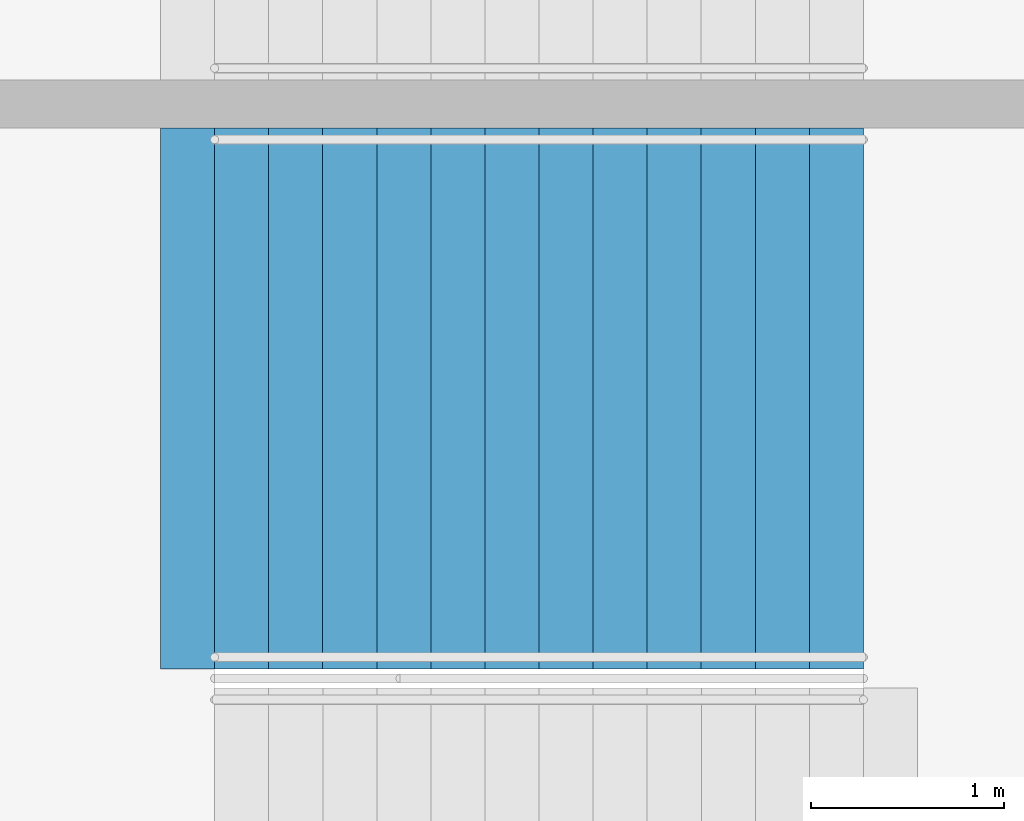
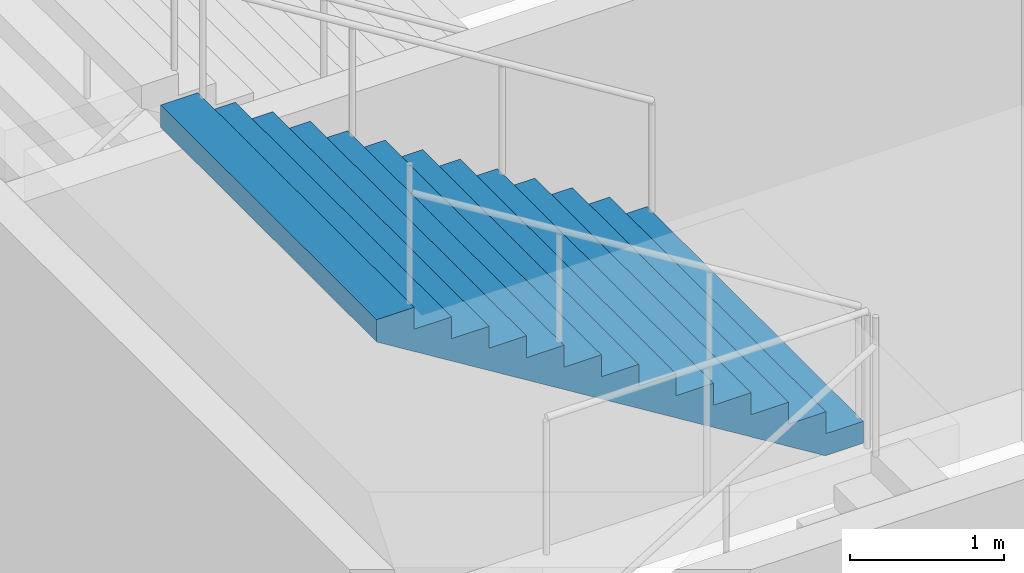
# One storey, part 124 of 177: 1 stair flight, 1 element without a shape of its own.
"""IFC4 building model written with IfcOpenShell, lengths in metres."""

from ifc_helpers import new_model, si_unit, direction, frame, origin, place, context, subcontext, project, spatial, faceted_brep, material, type_object, element, aggregate, save


model = new_model("IFC4")

# Units and contexts
model_context = context("Model", 3, precision=1e-05, world=origin(), true_north=direction((0.0, 1.0)))
body_context = subcontext(model_context, "Body", "Model", "MODEL_VIEW")
ifc_project = project(units=[si_unit("LENGTHUNIT", "METRE"), si_unit("AREAUNIT", "SQUARE_METRE"), si_unit("VOLUMEUNIT", "CUBIC_METRE"), si_unit("PLANEANGLEUNIT", "RADIAN"), si_unit("MASSUNIT", "GRAM", prefix="KILO")], contexts=[model_context])

# Site, building, storey
site_placement = place(None, origin())
site = spatial("IfcSite", under=ifc_project, at=site_placement, CompositionType="ELEMENT")
building_placement = place(site_placement, origin())
building = spatial("IfcBuilding", under=site, at=building_placement, Name="Ogive Plaza Stadium", CompositionType="ELEMENT")
storey_placement = place(building_placement, frame((0.0, 0.0, 18.0)))
storey = spatial("IfcBuildingStorey", under=building, at=storey_placement, Name="L04", CompositionType="ELEMENT", Elevation=18.0)

# Stair, stair flight
ifc_material_1 = material(Name="Concrete C40/50", Category="concrete")
stair_type = type_object("IfcStairType", Name="Exit stair", PredefinedType="STRAIGHT_RUN_STAIR", material=ifc_material_1)
stair_placement = place(storey_placement, origin())
stair = element("IfcStair", 1, at=stair_placement, inside=storey, type_object=stair_type, Name="Exit stair ST06A L04 to L05", PredefinedType="STRAIGHT_RUN_STAIR")
ifc_material_2 = material(Name="Concrete C40/50", Category="concrete")
stair_flight_type = type_object("IfcStairFlightType", Name="Exit stair flight", PredefinedType="STRAIGHT", material=ifc_material_2)
stair_flight_placement = place(storey_placement, frame((79.7099609375, -24.02490234375, 2.25), z_axis=(0.0, 0.0, 1.0), x_axis=(-1.0, 0.0, 0.0)))
stair_flight = element("IfcStairFlight", 2, at=stair_flight_placement, type_object=stair_flight_type, Name="ST06A flight 2", NumberOfRisers=13, NumberOfTreads=12, PredefinedType="STRAIGHT", RiserHeight=0.173076923, TreadLength=0.28, context=body_context, shape_type="Brep", body=[
    faceted_brep([(0.28515625, -1.39990234375, 0.0), (3.639892578125, -1.39990234375, 2.07373046875), (3.639892578125, -1.39990234375, 2.25), (3.360107421875, -1.39990234375, 2.25), (3.360107421875, -1.39990234375, 2.076904296875), (3.080078125, -1.39990234375, 2.076904296875), (3.080078125, -1.39990234375, 1.90380859375), (2.800048828125, -1.39990234375, 1.90380859375), (2.800048828125, -1.39990234375, 1.730712890625), (2.52001953125, -1.39990234375, 1.730712890625), (2.52001953125, -1.39990234375, 1.5576171875), (2.239990234375, -1.39990234375, 1.5576171875), (2.239990234375, -1.39990234375, 1.384521484375), (1.9599609375, -1.39990234375, 1.384521484375), (1.9599609375, -1.39990234375, 1.21142578125), (1.679931640625, -1.39990234375, 1.21142578125), (1.679931640625, -1.39990234375, 1.03857421875), (1.39990234375, -1.39990234375, 1.03857421875), (1.39990234375, -1.39990234375, 0.865478515625), (1.1201171875, -1.39990234375, 0.865478515625), (1.1201171875, -1.39990234375, 0.6923828125), (0.840087890625, -1.39990234375, 0.6923828125), (0.840087890625, -1.39990234375, 0.519287109375), (0.56005859375, -1.39990234375, 0.519287109375), (0.56005859375, -1.39990234375, 0.34619140625), (0.280029296875, -1.39990234375, 0.34619140625), (0.280029296875, -1.39990234375, 0.173095703125), (0.0, -1.39990234375, 0.173095703125), (0.0, -1.39990234375, 0.0), (0.0, 1.39990234375, 0.0), (0.0, 1.39990234375, 0.173095703125), (0.280029296875, 1.39990234375, 0.173095703125), (0.280029296875, 1.39990234375, 0.34619140625), (0.56005859375, 1.39990234375, 0.34619140625), (0.56005859375, 1.39990234375, 0.519287109375), (0.840087890625, 1.39990234375, 0.519287109375), (0.840087890625, 1.39990234375, 0.6923828125), (1.1201171875, 1.39990234375, 0.6923828125), (1.1201171875, 1.39990234375, 0.865478515625), (1.39990234375, 1.39990234375, 0.865478515625), (1.39990234375, 1.39990234375, 1.03857421875), (1.679931640625, 1.39990234375, 1.03857421875), (1.679931640625, 1.39990234375, 1.21142578125), (1.9599609375, 1.39990234375, 1.21142578125), (1.9599609375, 1.39990234375, 1.384521484375), (2.239990234375, 1.39990234375, 1.384521484375), (2.239990234375, 1.39990234375, 1.5576171875), (2.52001953125, 1.39990234375, 1.5576171875), (2.52001953125, 1.39990234375, 1.730712890625), (2.800048828125, 1.39990234375, 1.730712890625), (2.800048828125, 1.39990234375, 1.90380859375), (3.080078125, 1.39990234375, 1.90380859375), (3.080078125, 1.39990234375, 2.076904296875), (3.360107421875, 1.39990234375, 2.076904296875), (3.360107421875, 1.39990234375, 2.25), (3.639892578125, 1.39990234375, 2.25), (3.639892578125, 1.39990234375, 2.07373046875), (0.28515625, 1.39990234375, 0.0), (0.28515625, -1.0888671875, 0.0), (3.639892578125, -1.0888671875, 2.07373046875), (0.28515625, -0.77783203125, 0.0), (3.639892578125, -0.77783203125, 2.07373046875), (0.28515625, -0.466796875, 0.0), (3.639892578125, -0.466796875, 2.07373046875), (0.28515625, -0.155517578125, 0.0), (3.639892578125, -0.155517578125, 2.07373046875), (0.28515625, 0.155517578125, 0.0), (3.639892578125, 0.155517578125, 2.07373046875), (0.28515625, 0.466796875, 0.0), (3.639892578125, 0.466796875, 2.07373046875), (0.28515625, 0.77783203125, 0.0), (3.639892578125, 0.77783203125, 2.07373046875), (0.28515625, 1.0888671875, 0.0), (3.639892578125, 1.0888671875, 2.07373046875), (3.639892578125, -1.0888671875, 2.25), (3.639892578125, -0.77783203125, 2.25), (3.639892578125, -0.466796875, 2.25), (3.639892578125, -0.155517578125, 2.25), (3.639892578125, 0.155517578125, 2.25), (3.639892578125, 0.466796875, 2.25), (3.639892578125, 0.77783203125, 2.25), (3.639892578125, 1.0888671875, 2.25), (3.360107421875, -1.0888671875, 2.25), (3.360107421875, -0.77783203125, 2.25), (3.360107421875, -0.466796875, 2.25), (3.360107421875, -0.155517578125, 2.25), (3.360107421875, 0.155517578125, 2.25), (3.360107421875, 0.466796875, 2.25), (3.360107421875, 0.77783203125, 2.25), (3.360107421875, 1.0888671875, 2.25), (3.360107421875, -1.0888671875, 2.076904296875), (3.360107421875, -0.77783203125, 2.076904296875), (3.360107421875, -0.466796875, 2.076904296875), (3.360107421875, -0.155517578125, 2.076904296875), (3.360107421875, 0.155517578125, 2.076904296875), (3.360107421875, 0.466796875, 2.076904296875), (3.360107421875, 0.77783203125, 2.076904296875), (3.360107421875, 1.0888671875, 2.076904296875), (3.080078125, -1.0888671875, 2.076904296875), (3.080078125, -0.77783203125, 2.076904296875), (3.080078125, -0.466796875, 2.076904296875), (3.080078125, -0.155517578125, 2.076904296875), (3.080078125, 0.155517578125, 2.076904296875), (3.080078125, 0.466796875, 2.076904296875), (3.080078125, 0.77783203125, 2.076904296875), (3.080078125, 1.0888671875, 2.076904296875), (3.080078125, -1.0888671875, 1.90380859375), (3.080078125, -0.77783203125, 1.90380859375), (3.080078125, -0.466796875, 1.90380859375), (3.080078125, -0.155517578125, 1.90380859375), (3.080078125, 0.155517578125, 1.90380859375), (3.080078125, 0.466796875, 1.90380859375), (3.080078125, 0.77783203125, 1.90380859375), (3.080078125, 1.0888671875, 1.90380859375), (2.800048828125, -1.0888671875, 1.90380859375), (2.800048828125, -0.77783203125, 1.90380859375), (2.800048828125, -0.466796875, 1.90380859375), (2.800048828125, -0.155517578125, 1.90380859375), (2.800048828125, 0.155517578125, 1.90380859375), (2.800048828125, 0.466796875, 1.90380859375), (2.800048828125, 0.77783203125, 1.90380859375), (2.800048828125, 1.0888671875, 1.90380859375), (2.800048828125, -1.0888671875, 1.730712890625), (2.800048828125, -0.77783203125, 1.730712890625), (2.800048828125, -0.466796875, 1.730712890625), (2.800048828125, -0.155517578125, 1.730712890625), (2.800048828125, 0.155517578125, 1.730712890625), (2.800048828125, 0.466796875, 1.730712890625), (2.800048828125, 0.77783203125, 1.730712890625), (2.800048828125, 1.0888671875, 1.730712890625), (2.52001953125, -1.0888671875, 1.730712890625), (2.52001953125, -0.77783203125, 1.730712890625), (2.52001953125, -0.466796875, 1.730712890625), (2.52001953125, -0.155517578125, 1.730712890625), (2.52001953125, 0.155517578125, 1.730712890625), (2.52001953125, 0.466796875, 1.730712890625), (2.52001953125, 0.77783203125, 1.730712890625), (2.52001953125, 1.0888671875, 1.730712890625), (2.52001953125, -1.0888671875, 1.5576171875), (2.52001953125, -0.77783203125, 1.5576171875), (2.52001953125, -0.466796875, 1.5576171875), (2.52001953125, -0.155517578125, 1.5576171875), (2.52001953125, 0.155517578125, 1.5576171875), (2.52001953125, 0.466796875, 1.5576171875), (2.52001953125, 0.77783203125, 1.5576171875), (2.52001953125, 1.0888671875, 1.5576171875), (2.239990234375, -1.0888671875, 1.5576171875), (2.239990234375, -0.77783203125, 1.5576171875), (2.239990234375, -0.466796875, 1.5576171875), (2.239990234375, -0.155517578125, 1.5576171875), (2.239990234375, 0.155517578125, 1.5576171875), (2.239990234375, 0.466796875, 1.5576171875), (2.239990234375, 0.77783203125, 1.5576171875), (2.239990234375, 1.0888671875, 1.5576171875), (2.239990234375, -1.0888671875, 1.384521484375), (2.239990234375, -0.77783203125, 1.384521484375), (2.239990234375, -0.466796875, 1.384521484375), (2.239990234375, -0.155517578125, 1.384521484375), (2.239990234375, 0.155517578125, 1.384521484375), (2.239990234375, 0.466796875, 1.384521484375), (2.239990234375, 0.77783203125, 1.384521484375), (2.239990234375, 1.0888671875, 1.384521484375), (1.9599609375, -1.0888671875, 1.384521484375), (1.9599609375, -0.77783203125, 1.384521484375), (1.9599609375, -0.466796875, 1.384521484375), (1.9599609375, -0.155517578125, 1.384521484375), (1.9599609375, 0.155517578125, 1.384521484375), (1.9599609375, 0.466796875, 1.384521484375), (1.9599609375, 0.77783203125, 1.384521484375), (1.9599609375, 1.0888671875, 1.384521484375), (1.9599609375, -1.0888671875, 1.21142578125), (1.9599609375, -0.77783203125, 1.21142578125), (1.9599609375, -0.466796875, 1.21142578125), (1.9599609375, -0.155517578125, 1.21142578125), (1.9599609375, 0.155517578125, 1.21142578125), (1.9599609375, 0.466796875, 1.21142578125), (1.9599609375, 0.77783203125, 1.21142578125), (1.9599609375, 1.0888671875, 1.21142578125), (1.679931640625, -1.0888671875, 1.21142578125), (1.679931640625, -0.77783203125, 1.21142578125), (1.679931640625, -0.466796875, 1.21142578125), (1.679931640625, -0.155517578125, 1.21142578125), (1.679931640625, 0.155517578125, 1.21142578125), (1.679931640625, 0.466796875, 1.21142578125), (1.679931640625, 0.77783203125, 1.21142578125), (1.679931640625, 1.0888671875, 1.21142578125), (1.679931640625, -1.0888671875, 1.03857421875), (1.679931640625, -0.77783203125, 1.03857421875), (1.679931640625, -0.466796875, 1.03857421875), (1.679931640625, -0.155517578125, 1.03857421875), (1.679931640625, 0.155517578125, 1.03857421875), (1.679931640625, 0.466796875, 1.03857421875), (1.679931640625, 0.77783203125, 1.03857421875), (1.679931640625, 1.0888671875, 1.03857421875), (1.39990234375, -1.0888671875, 1.03857421875), (1.39990234375, -0.77783203125, 1.03857421875), (1.39990234375, -0.466796875, 1.03857421875), (1.39990234375, -0.155517578125, 1.03857421875), (1.39990234375, 0.155517578125, 1.03857421875), (1.39990234375, 0.466796875, 1.03857421875), (1.39990234375, 0.77783203125, 1.03857421875), (1.39990234375, 1.0888671875, 1.03857421875), (1.39990234375, -1.0888671875, 0.865478515625), (1.39990234375, -0.77783203125, 0.865478515625), (1.39990234375, -0.466796875, 0.865478515625), (1.39990234375, -0.155517578125, 0.865478515625), (1.39990234375, 0.155517578125, 0.865478515625), (1.39990234375, 0.466796875, 0.865478515625), (1.39990234375, 0.77783203125, 0.865478515625), (1.39990234375, 1.0888671875, 0.865478515625), (1.1201171875, -1.0888671875, 0.865478515625), (1.1201171875, -0.77783203125, 0.865478515625), (1.1201171875, -0.466796875, 0.865478515625), (1.1201171875, -0.155517578125, 0.865478515625), (1.1201171875, 0.155517578125, 0.865478515625), (1.1201171875, 0.466796875, 0.865478515625), (1.1201171875, 0.77783203125, 0.865478515625), (1.1201171875, 1.0888671875, 0.865478515625), (1.1201171875, -1.0888671875, 0.6923828125), (1.1201171875, -0.77783203125, 0.6923828125), (1.1201171875, -0.466796875, 0.6923828125), (1.1201171875, -0.155517578125, 0.6923828125), (1.1201171875, 0.155517578125, 0.6923828125), (1.1201171875, 0.466796875, 0.6923828125), (1.1201171875, 0.77783203125, 0.6923828125), (1.1201171875, 1.0888671875, 0.6923828125), (0.840087890625, -1.0888671875, 0.6923828125), (0.840087890625, -0.77783203125, 0.6923828125), (0.840087890625, -0.466796875, 0.6923828125), (0.840087890625, -0.155517578125, 0.6923828125), (0.840087890625, 0.155517578125, 0.6923828125), (0.840087890625, 0.466796875, 0.6923828125), (0.840087890625, 0.77783203125, 0.6923828125), (0.840087890625, 1.0888671875, 0.6923828125), (0.840087890625, -1.0888671875, 0.519287109375), (0.840087890625, -0.77783203125, 0.519287109375), (0.840087890625, -0.466796875, 0.519287109375), (0.840087890625, -0.155517578125, 0.519287109375), (0.840087890625, 0.155517578125, 0.519287109375), (0.840087890625, 0.466796875, 0.519287109375), (0.840087890625, 0.77783203125, 0.519287109375), (0.840087890625, 1.0888671875, 0.519287109375), (0.56005859375, -1.0888671875, 0.519287109375), (0.56005859375, -0.77783203125, 0.519287109375), (0.56005859375, -0.466796875, 0.519287109375), (0.56005859375, -0.155517578125, 0.519287109375), (0.56005859375, 0.155517578125, 0.519287109375), (0.56005859375, 0.466796875, 0.519287109375), (0.56005859375, 0.77783203125, 0.519287109375), (0.56005859375, 1.0888671875, 0.519287109375), (0.56005859375, -1.0888671875, 0.34619140625), (0.56005859375, -0.77783203125, 0.34619140625), (0.56005859375, -0.466796875, 0.34619140625), (0.56005859375, -0.155517578125, 0.34619140625), (0.56005859375, 0.155517578125, 0.34619140625), (0.56005859375, 0.466796875, 0.34619140625), (0.56005859375, 0.77783203125, 0.34619140625), (0.56005859375, 1.0888671875, 0.34619140625), (0.280029296875, -1.0888671875, 0.34619140625), (0.280029296875, -0.77783203125, 0.34619140625), (0.280029296875, -0.466796875, 0.34619140625), (0.280029296875, -0.155517578125, 0.34619140625), (0.280029296875, 0.155517578125, 0.34619140625), (0.280029296875, 0.466796875, 0.34619140625), (0.280029296875, 0.77783203125, 0.34619140625), (0.280029296875, 1.0888671875, 0.34619140625), (0.280029296875, -1.0888671875, 0.173095703125), (0.280029296875, -0.77783203125, 0.173095703125), (0.280029296875, -0.466796875, 0.173095703125), (0.280029296875, -0.155517578125, 0.173095703125), (0.280029296875, 0.155517578125, 0.173095703125), (0.280029296875, 0.466796875, 0.173095703125), (0.280029296875, 0.77783203125, 0.173095703125), (0.280029296875, 1.0888671875, 0.173095703125), (0.0, -1.0888671875, 0.173095703125), (0.0, -0.77783203125, 0.173095703125), (0.0, -0.466796875, 0.173095703125), (0.0, -0.155517578125, 0.173095703125), (0.0, 0.155517578125, 0.173095703125), (0.0, 0.466796875, 0.173095703125), (0.0, 0.77783203125, 0.173095703125), (0.0, 1.0888671875, 0.173095703125), (0.0, -1.0888671875, 0.0), (0.0, -0.77783203125, 0.0), (0.0, -0.466796875, 0.0), (0.0, -0.155517578125, 0.0), (0.0, 0.155517578125, 0.0), (0.0, 0.466796875, 0.0), (0.0, 0.77783203125, 0.0), (0.0, 1.0888671875, 0.0)], [[[0, 1, 2, 3, 4, 5, 6, 7, 8, 9, 10, 11, 12, 13, 14, 15, 16, 17, 18, 19, 20, 21, 22, 23, 24, 25, 26, 27, 28]], [[29, 30, 31, 32, 33, 34, 35, 36, 37, 38, 39, 40, 41, 42, 43, 44, 45, 46, 47, 48, 49, 50, 51, 52, 53, 54, 55, 56, 57]], [[0, 58, 59, 1]], [[58, 60, 61, 59]], [[60, 62, 63, 61]], [[62, 64, 65, 63]], [[64, 66, 67, 65]], [[66, 68, 69, 67]], [[68, 70, 71, 69]], [[70, 72, 73, 71]], [[72, 57, 56, 73]], [[1, 59, 74, 2]], [[59, 61, 75, 74]], [[61, 63, 76, 75]], [[63, 65, 77, 76]], [[65, 67, 78, 77]], [[67, 69, 79, 78]], [[69, 71, 80, 79]], [[71, 73, 81, 80]], [[73, 56, 55, 81]], [[2, 74, 82, 3]], [[74, 75, 83, 82]], [[75, 76, 84, 83]], [[76, 77, 85, 84]], [[77, 78, 86, 85]], [[78, 79, 87, 86]], [[79, 80, 88, 87]], [[80, 81, 89, 88]], [[81, 55, 54, 89]], [[3, 82, 90, 4]], [[82, 83, 91, 90]], [[83, 84, 92, 91]], [[84, 85, 93, 92]], [[85, 86, 94, 93]], [[86, 87, 95, 94]], [[87, 88, 96, 95]], [[88, 89, 97, 96]], [[89, 54, 53, 97]], [[4, 90, 98, 5]], [[90, 91, 99, 98]], [[91, 92, 100, 99]], [[92, 93, 101, 100]], [[93, 94, 102, 101]], [[94, 95, 103, 102]], [[95, 96, 104, 103]], [[96, 97, 105, 104]], [[97, 53, 52, 105]], [[5, 98, 106, 6]], [[98, 99, 107, 106]], [[99, 100, 108, 107]], [[100, 101, 109, 108]], [[101, 102, 110, 109]], [[102, 103, 111, 110]], [[103, 104, 112, 111]], [[104, 105, 113, 112]], [[105, 52, 51, 113]], [[6, 106, 114, 7]], [[106, 107, 115, 114]], [[107, 108, 116, 115]], [[108, 109, 117, 116]], [[109, 110, 118, 117]], [[110, 111, 119, 118]], [[111, 112, 120, 119]], [[112, 113, 121, 120]], [[113, 51, 50, 121]], [[7, 114, 122, 8]], [[114, 115, 123, 122]], [[115, 116, 124, 123]], [[116, 117, 125, 124]], [[117, 118, 126, 125]], [[118, 119, 127, 126]], [[119, 120, 128, 127]], [[120, 121, 129, 128]], [[121, 50, 49, 129]], [[8, 122, 130, 9]], [[122, 123, 131, 130]], [[123, 124, 132, 131]], [[124, 125, 133, 132]], [[125, 126, 134, 133]], [[126, 127, 135, 134]], [[127, 128, 136, 135]], [[128, 129, 137, 136]], [[129, 49, 48, 137]], [[9, 130, 138, 10]], [[130, 131, 139, 138]], [[131, 132, 140, 139]], [[132, 133, 141, 140]], [[133, 134, 142, 141]], [[134, 135, 143, 142]], [[135, 136, 144, 143]], [[136, 137, 145, 144]], [[137, 48, 47, 145]], [[10, 138, 146, 11]], [[138, 139, 147, 146]], [[139, 140, 148, 147]], [[140, 141, 149, 148]], [[141, 142, 150, 149]], [[142, 143, 151, 150]], [[143, 144, 152, 151]], [[144, 145, 153, 152]], [[145, 47, 46, 153]], [[11, 146, 154, 12]], [[146, 147, 155, 154]], [[147, 148, 156, 155]], [[148, 149, 157, 156]], [[149, 150, 158, 157]], [[150, 151, 159, 158]], [[151, 152, 160, 159]], [[152, 153, 161, 160]], [[153, 46, 45, 161]], [[12, 154, 162, 13]], [[154, 155, 163, 162]], [[155, 156, 164, 163]], [[156, 157, 165, 164]], [[157, 158, 166, 165]], [[158, 159, 167, 166]], [[159, 160, 168, 167]], [[160, 161, 169, 168]], [[161, 45, 44, 169]], [[13, 162, 170, 14]], [[162, 163, 171, 170]], [[163, 164, 172, 171]], [[164, 165, 173, 172]], [[165, 166, 174, 173]], [[166, 167, 175, 174]], [[167, 168, 176, 175]], [[168, 169, 177, 176]], [[169, 44, 43, 177]], [[14, 170, 178, 15]], [[170, 171, 179, 178]], [[171, 172, 180, 179]], [[172, 173, 181, 180]], [[173, 174, 182, 181]], [[174, 175, 183, 182]], [[175, 176, 184, 183]], [[176, 177, 185, 184]], [[177, 43, 42, 185]], [[15, 178, 186, 16]], [[178, 179, 187, 186]], [[179, 180, 188, 187]], [[180, 181, 189, 188]], [[181, 182, 190, 189]], [[182, 183, 191, 190]], [[183, 184, 192, 191]], [[184, 185, 193, 192]], [[185, 42, 41, 193]], [[16, 186, 194, 17]], [[186, 187, 195, 194]], [[187, 188, 196, 195]], [[188, 189, 197, 196]], [[189, 190, 198, 197]], [[190, 191, 199, 198]], [[191, 192, 200, 199]], [[192, 193, 201, 200]], [[193, 41, 40, 201]], [[17, 194, 202, 18]], [[194, 195, 203, 202]], [[195, 196, 204, 203]], [[196, 197, 205, 204]], [[197, 198, 206, 205]], [[198, 199, 207, 206]], [[199, 200, 208, 207]], [[200, 201, 209, 208]], [[201, 40, 39, 209]], [[18, 202, 210, 19]], [[202, 203, 211, 210]], [[203, 204, 212, 211]], [[204, 205, 213, 212]], [[205, 206, 214, 213]], [[206, 207, 215, 214]], [[207, 208, 216, 215]], [[208, 209, 217, 216]], [[209, 39, 38, 217]], [[19, 210, 218, 20]], [[210, 211, 219, 218]], [[211, 212, 220, 219]], [[212, 213, 221, 220]], [[213, 214, 222, 221]], [[214, 215, 223, 222]], [[215, 216, 224, 223]], [[216, 217, 225, 224]], [[217, 38, 37, 225]], [[20, 218, 226, 21]], [[218, 219, 227, 226]], [[219, 220, 228, 227]], [[220, 221, 229, 228]], [[221, 222, 230, 229]], [[222, 223, 231, 230]], [[223, 224, 232, 231]], [[224, 225, 233, 232]], [[225, 37, 36, 233]], [[21, 226, 234, 22]], [[226, 227, 235, 234]], [[227, 228, 236, 235]], [[228, 229, 237, 236]], [[229, 230, 238, 237]], [[230, 231, 239, 238]], [[231, 232, 240, 239]], [[232, 233, 241, 240]], [[233, 36, 35, 241]], [[22, 234, 242, 23]], [[234, 235, 243, 242]], [[235, 236, 244, 243]], [[236, 237, 245, 244]], [[237, 238, 246, 245]], [[238, 239, 247, 246]], [[239, 240, 248, 247]], [[240, 241, 249, 248]], [[241, 35, 34, 249]], [[23, 242, 250, 24]], [[242, 243, 251, 250]], [[243, 244, 252, 251]], [[244, 245, 253, 252]], [[245, 246, 254, 253]], [[246, 247, 255, 254]], [[247, 248, 256, 255]], [[248, 249, 257, 256]], [[249, 34, 33, 257]], [[24, 250, 258, 25]], [[250, 251, 259, 258]], [[251, 252, 260, 259]], [[252, 253, 261, 260]], [[253, 254, 262, 261]], [[254, 255, 263, 262]], [[255, 256, 264, 263]], [[256, 257, 265, 264]], [[257, 33, 32, 265]], [[25, 258, 266, 26]], [[258, 259, 267, 266]], [[259, 260, 268, 267]], [[260, 261, 269, 268]], [[261, 262, 270, 269]], [[262, 263, 271, 270]], [[263, 264, 272, 271]], [[264, 265, 273, 272]], [[265, 32, 31, 273]], [[26, 266, 274, 27]], [[266, 267, 275, 274]], [[267, 268, 276, 275]], [[268, 269, 277, 276]], [[269, 270, 278, 277]], [[270, 271, 279, 278]], [[271, 272, 280, 279]], [[272, 273, 281, 280]], [[273, 31, 30, 281]], [[27, 274, 282, 28]], [[274, 275, 283, 282]], [[275, 276, 284, 283]], [[276, 277, 285, 284]], [[277, 278, 286, 285]], [[278, 279, 287, 286]], [[279, 280, 288, 287]], [[280, 281, 289, 288]], [[281, 30, 29, 289]], [[28, 282, 58, 0]], [[282, 283, 60, 58]], [[283, 284, 62, 60]], [[284, 285, 64, 62]], [[285, 286, 66, 64]], [[286, 287, 68, 66]], [[287, 288, 70, 68]], [[288, 289, 72, 70]], [[289, 29, 57, 72]]]),
])
aggregate(stair, [stair_flight])

save(model, "model.ifc")
